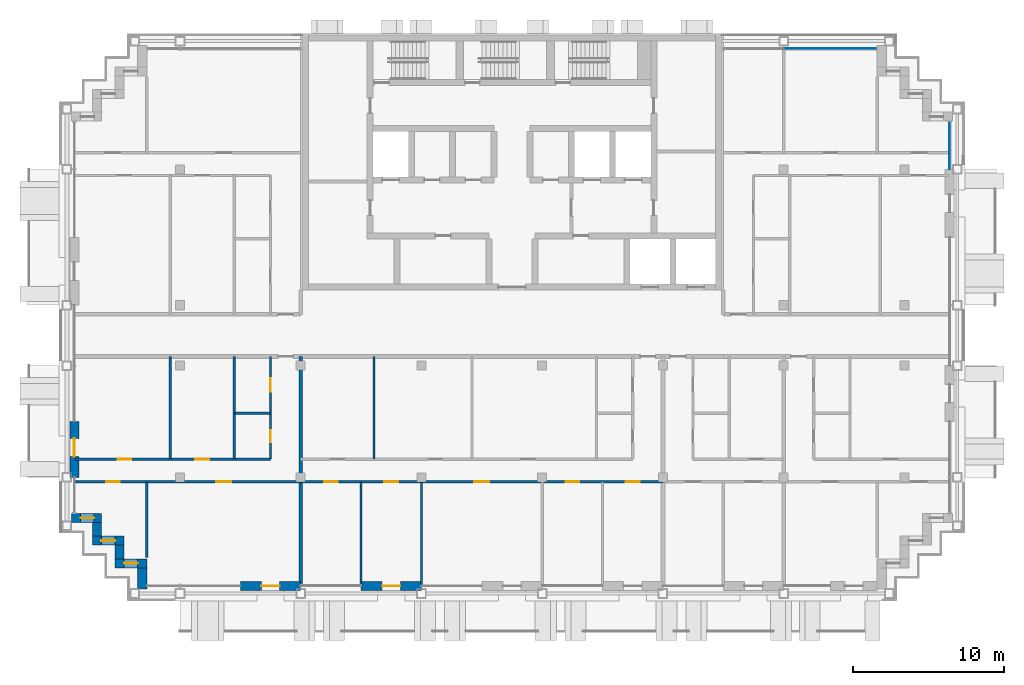
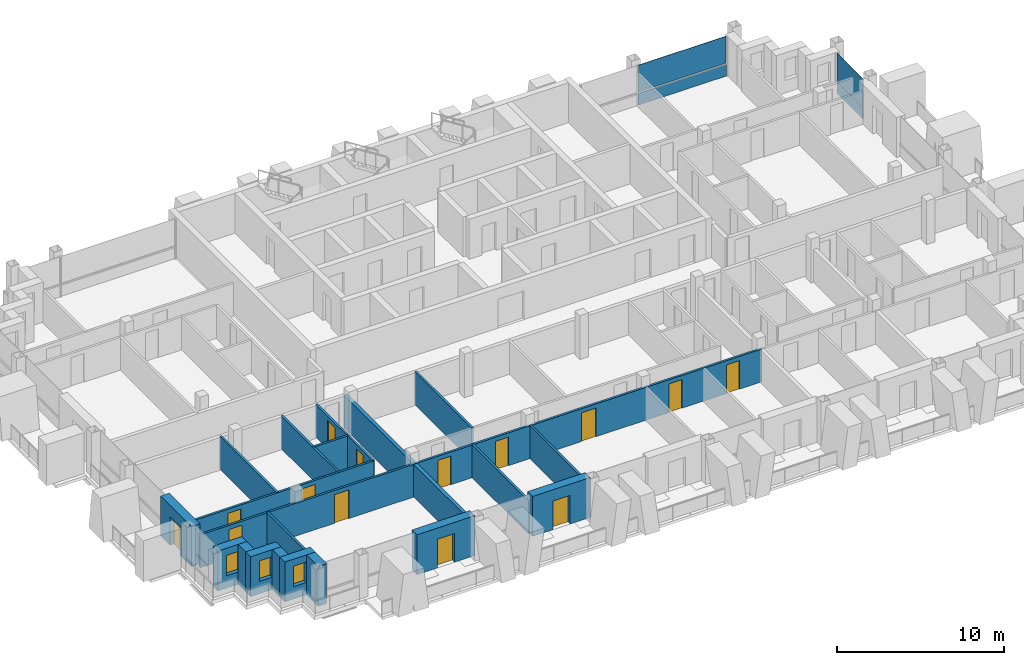
# One storey, part 7 of 15: 21 walls, 14 doors, 4 plates, 3 windows, 17 openings, 2 elements without a shape of their own.
"""IFC4 building model written with IfcOpenShell, lengths in metres."""

from ifc_helpers import new_model, si_unit, direction, frame, frame_2d, origin, origin_2d, place, context, subcontext, project, spatial, rectangle, extrude, material, layer, layer_set, type_object, element, fill, aggregate, save


model = new_model("IFC4")

# Units and contexts
model_context = context("Model", 3, precision=1e-05, world=origin(), true_north=direction((0.0, 1.0)))
body_context = subcontext(model_context, "Body", "Model", "MODEL_VIEW")
ifc_project = project(units=[si_unit("LENGTHUNIT", "METRE"), si_unit("AREAUNIT", "SQUARE_METRE"), si_unit("VOLUMEUNIT", "CUBIC_METRE"), si_unit("PLANEANGLEUNIT", "RADIAN"), si_unit("MASSUNIT", "GRAM", prefix="KILO")], contexts=[model_context])

# Site, building, storey
site_placement = place(None, origin())
site = spatial("IfcSite", under=ifc_project, at=site_placement, CompositionType="ELEMENT")
building_placement = place(site_placement, origin())
building = spatial("IfcBuilding", under=site, at=building_placement, Name="Vidyagriha Tower", CompositionType="ELEMENT")
storey_placement = place(building_placement, frame((0.0, 0.0, 214.0)))
storey = spatial("IfcBuildingStorey", under=building, at=storey_placement, Name="L55", CompositionType="ELEMENT", Elevation=214.0)

# Curtain wall, plate
ifc_material_1 = material(Name="Aluminium and glass curtain wall", Category="aluminium")
curtain_wall_type = type_object("IfcCurtainWallType", Name="Dwelling skin unitised curtain wall", PredefinedType="USERDEFINED", material=ifc_material_1)
curtain_wall_1_placement = place(storey_placement, origin())
curtain_wall_1 = element("IfcCurtainWall", 1, at=curtain_wall_1_placement, inside=storey, type_object=curtain_wall_type, Name="CW1 dwelling skin", ObjectType="UNITISED", PredefinedType="USERDEFINED")
ifc_material_2 = material(Name="Glass dark ceramic-fritted spandrel", Category="glass")
ifc_layer_1 = layer(ifc_material_2, 0.0400390625)
ifc_layer_set_1 = layer_set([ifc_layer_1], Name="Glass dark ceramic-fritted spandrel")
plate_type_1 = type_object("IfcPlateType", Name="Ceramic-fritted spandrel panel", PredefinedType="CURTAIN_PANEL", material=ifc_layer_set_1)
plate_1_placement = place(storey_placement, frame((21.08251953125, 19.0, 0.0), z_axis=(0.0, 0.0, 1.0), x_axis=(-1.0, 0.0, 0.0)))
plate_1 = element("IfcPlate", 2, at=plate_1_placement, type_object=plate_type_1, Name="CW1 panel 1.1", PredefinedType="CURTAIN_PANEL", context=body_context, shape_type="SweptSolid", body=[
    extrude(rectangle(XDim=6.094970703125, YDim=0.0400390625, at=origin_2d()), origin(), (0.0, 0.0, 1.0), 0.85009765625),
])

curtain_wall_2_placement = place(storey_placement, origin())
curtain_wall_2 = element("IfcCurtainWall", 3, at=curtain_wall_2_placement, inside=storey, type_object=curtain_wall_type, Name="CW1 dwelling skin", ObjectType="UNITISED", PredefinedType="USERDEFINED")
plate_2_placement = place(storey_placement, frame((29.0, 12.56494140625, 0.0), z_axis=(0.0, 0.0, 1.0), x_axis=(0.0, 1.0, 0.0)))
plate_2 = element("IfcPlate", 4, at=plate_2_placement, type_object=plate_type_1, Name="CW1 panel 1.1", PredefinedType="CURTAIN_PANEL", context=body_context, shape_type="SweptSolid", body=[
    extrude(rectangle(XDim=3.1298828125, YDim=0.0400390625, at=origin_2d()), origin(), (0.0, 0.0, 1.0), 0.85009765625),
])

# Plate
ifc_material_3 = material(Name="Glass dark ceramic-fritted", Category="glass")
ifc_layer_2 = layer(ifc_material_3, 0.028076171875)
ifc_layer_set_2 = layer_set([ifc_layer_2], Name="Glass dark ceramic-fritted")
plate_type_2 = type_object("IfcPlateType", Name="Dark ceramic-fritted vision glass panel", PredefinedType="CURTAIN_PANEL", material=ifc_layer_set_2)
plate_3_placement = place(storey_placement, frame((21.08251953125, 19.0, 0.9501953125), z_axis=(0.0, 0.0, 1.0), x_axis=(-1.0, 0.0, 0.0)))
plate_3 = element("IfcPlate", 5, at=plate_3_placement, type_object=plate_type_2, Name="CW1 panel 1.2", PredefinedType="CURTAIN_PANEL", context=body_context, shape_type="SweptSolid", body=[
    extrude(rectangle(XDim=6.094970703125, YDim=0.028076171875, at=origin_2d()), origin(), (0.0, 0.0, 1.0), 1.969970703125),
])

aggregate(curtain_wall_1, [plate_1, plate_3])

plate_4_placement = place(storey_placement, frame((29.0, 12.56494140625, 0.9501953125), z_axis=(0.0, 0.0, 1.0), x_axis=(0.0, 1.0, 0.0)))
plate_4 = element("IfcPlate", 6, at=plate_4_placement, type_object=plate_type_2, Name="CW1 panel 1.2", PredefinedType="CURTAIN_PANEL", context=body_context, shape_type="SweptSolid", body=[
    extrude(rectangle(XDim=3.1298828125, YDim=0.028076171875, at=origin_2d()), origin(), (0.0, 0.0, 1.0), 1.969970703125),
])

aggregate(curtain_wall_2, [plate_2, plate_4])

# Wall, opening, door
ifc_material_4 = material(Name="Precast concrete C40/50 with brick facing", Category="concrete")
ifc_layer_3 = layer(ifc_material_4, 0.60009765625)
ifc_layer_set_3 = layer_set([ifc_layer_3], Name="Precast concrete C40/50 with brick facing")
wall_type_1 = type_object("IfcWallType", Name="Brick-faced precast wall 600", PredefinedType="STANDARD", material=ifc_layer_set_3)
wall_1_placement = place(storey_placement, frame((-29.0, -5.699951171875, 0.0), z_axis=(0.0, 0.0, 1.0), x_axis=(0.0, -1.0, 0.0)))
wall_1 = element("IfcWall", 7, at=wall_1_placement, inside=storey, type_object=wall_type_1, Name="Brick door bay wall L55 R16.6", PredefinedType="STANDARD", context=body_context, shape_type="SweptSolid", body=[
    extrude(rectangle(XDim=3.699951171875, YDim=0.60009765625, at=frame_2d((1.85009765625, 0.0))), origin(), (0.0, 0.0, 1.0), 2.919921875),
])
opening_1_placement = place(wall_1_placement, frame((1.125, 0.0, 0.0)))
opening_1 = element("IfcOpeningElement", 8, at=opening_1_placement, cuts=wall_1, Name="Opening D55-61", PredefinedType="OPENING", context=body_context, shape_type="SweptSolid", body=[
    extrude(rectangle(XDim=1.199951171875, YDim=2.10009765625, at=frame_2d((0.60009765625, 1.050048828125))), frame((0.0, 0.31005859375, 0.0), z_axis=(0.0, -1.0, 0.0), x_axis=(1.0, 0.0, 0.0)), (0.0, 0.0, 1.0), 0.6201171875),
])
ifc_material_5 = material(Name="Aluminium framed glazed sliding door", Category="aluminium")
door_type_1 = type_object("IfcDoorType", Name="Balcony sliding door 1200x2100", OperationType="NOTDEFINED", PredefinedType="DOOR", material=ifc_material_5)
door_1_placement = place(opening_1_placement, origin())
door_1 = element("IfcDoor", 9, at=door_1_placement, inside=storey, type_object=door_type_1, Name="Door D55-61", OperationType="SLIDING_TO_LEFT", OverallHeight=2.10009765625, OverallWidth=1.199951171875, PredefinedType="DOOR", context=body_context, shape_type="SweptSolid", body=[
    extrude(rectangle(XDim=1.199951171875, YDim=2.10009765625, at=frame_2d((0.60009765625, 1.050048828125))), frame((0.0, 0.02490234375, 0.0), z_axis=(0.0, -1.0, 0.0), x_axis=(1.0, 0.0, 0.0)), (0.0, 0.0, 1.0), 0.050048828125),
])
fill(opening_1, door_1)

# Wall, opening, window
wall_2_placement = place(storey_placement, frame((-29.199951171875, -12.10009765625, 0.0)))
wall_2 = element("IfcWall", 10, at=wall_2_placement, inside=storey, type_object=wall_type_1, Name="Stepped corner wall L55 R17", PredefinedType="STANDARD", context=body_context, shape_type="SweptSolid", body=[
    extrude(rectangle(XDim=2.0, YDim=0.60009765625, at=frame_2d((1.0, 0.0))), origin(), (0.0, 0.0, 1.0), 2.919921875),
])
opening_2_placement = place(wall_2_placement, frame((0.610107421875, 0.0, 0.89990234375)))
opening_2 = element("IfcOpeningElement", 11, at=opening_2_placement, cuts=wall_2, Name="Opening WN1", PredefinedType="OPENING", context=body_context, shape_type="SweptSolid", body=[
    extrude(rectangle(XDim=0.89990234375, YDim=1.5, at=frame_2d((0.449951171875, 0.75))), frame((0.0, 0.31005859375, 0.0), z_axis=(0.0, -1.0, 0.0), x_axis=(1.0, 0.0, 0.0)), (0.0, 0.0, 1.0), 0.6201171875),
])
ifc_material_6 = material(Name="Aluminium and glass window", Category="aluminium")
window_type = type_object("IfcWindowType", Name="Reveal window 900x1500", PartitioningType="NOTDEFINED", PredefinedType="WINDOW", material=ifc_material_6)
window_1_placement = place(opening_2_placement, origin())
window_1 = element("IfcWindow", 12, at=window_1_placement, inside=storey, type_object=window_type, Name="Reveal window L55 R17", OverallHeight=1.5, OverallWidth=0.89990234375, PartitioningType="SINGLE_PANEL", PredefinedType="WINDOW", context=body_context, shape_type="SweptSolid", body=[
    extrude(rectangle(XDim=0.89990234375, YDim=1.5, at=frame_2d((0.449951171875, 0.75))), frame((0.0, 0.030029296875, 0.0), z_axis=(0.0, -1.0, 0.0), x_axis=(1.0, 0.0, 0.0)), (0.0, 0.0, 1.0), 0.06005859375),
])
fill(opening_2, window_1)

# Wall
wall_3_placement = place(storey_placement, frame((-27.5, -12.39990234375, 0.0), z_axis=(0.0, 0.0, 1.0), x_axis=(0.0, -1.0, 0.0)))
element("IfcWall", 13, at=wall_3_placement, inside=storey, type_object=wall_type_1, Name="Stepped corner wall L55 R18", PredefinedType="STANDARD", context=body_context, shape_type="SweptSolid", body=[
    extrude(rectangle(XDim=0.900146484375, YDim=0.60009765625, at=frame_2d((0.4501953125, 0.0))), origin(), (0.0, 0.0, 1.0), 2.919921875),
])

# Wall, opening, window
wall_4_placement = place(storey_placement, frame((-27.800048828125, -13.60009765625, 0.0)))
wall_4 = element("IfcWall", 14, at=wall_4_placement, inside=storey, type_object=wall_type_1, Name="Stepped corner wall L55 R19", PredefinedType="STANDARD", context=body_context, shape_type="SweptSolid", body=[
    extrude(rectangle(XDim=2.10009765625, YDim=0.60009765625, at=frame_2d((1.050048828125, 0.0))), origin(), (0.0, 0.0, 1.0), 2.919921875),
])
opening_3_placement = place(wall_4_placement, frame((0.60009765625, 0.0, 0.89990234375)))
opening_3 = element("IfcOpeningElement", 15, at=opening_3_placement, cuts=wall_4, Name="Opening WN1", PredefinedType="OPENING", context=body_context, shape_type="SweptSolid", body=[
    extrude(rectangle(XDim=0.89990234375, YDim=1.5, at=frame_2d((0.449951171875, 0.75))), frame((0.0, 0.31005859375, 0.0), z_axis=(0.0, -1.0, 0.0), x_axis=(1.0, 0.0, 0.0)), (0.0, 0.0, 1.0), 0.6201171875),
])
window_2_placement = place(opening_3_placement, origin())
window_2 = element("IfcWindow", 16, at=window_2_placement, inside=storey, type_object=window_type, Name="Reveal window L55 R19", OverallHeight=1.5, OverallWidth=0.89990234375, PartitioningType="SINGLE_PANEL", PredefinedType="WINDOW", context=body_context, shape_type="SweptSolid", body=[
    extrude(rectangle(XDim=0.89990234375, YDim=1.5, at=frame_2d((0.449951171875, 0.75))), frame((0.0, 0.030029296875, 0.0), z_axis=(0.0, -1.0, 0.0), x_axis=(1.0, 0.0, 0.0)), (0.0, 0.0, 1.0), 0.06005859375),
])
fill(opening_3, window_2)

# Wall
wall_5_placement = place(storey_placement, frame((-26.0, -13.89990234375, 0.0), z_axis=(0.0, 0.0, 1.0), x_axis=(0.0, -1.0, 0.0)))
element("IfcWall", 17, at=wall_5_placement, inside=storey, type_object=wall_type_1, Name="Stepped corner wall L55 R20", PredefinedType="STANDARD", context=body_context, shape_type="SweptSolid", body=[
    extrude(rectangle(XDim=0.900146484375, YDim=0.60009765625, at=frame_2d((0.4501953125, 0.0))), origin(), (0.0, 0.0, 1.0), 2.919921875),
])

# Wall, opening, window
wall_6_placement = place(storey_placement, frame((-26.300048828125, -15.10009765625, 0.0)))
wall_6 = element("IfcWall", 18, at=wall_6_placement, inside=storey, type_object=wall_type_1, Name="Stepped corner wall L55 R21", PredefinedType="STANDARD", context=body_context, shape_type="SweptSolid", body=[
    extrude(rectangle(XDim=2.10009765625, YDim=0.60009765625, at=frame_2d((1.050048828125, 0.0))), origin(), (0.0, 0.0, 1.0), 2.919921875),
])
opening_4_placement = place(wall_6_placement, frame((0.60009765625, 0.0, 0.89990234375)))
opening_4 = element("IfcOpeningElement", 19, at=opening_4_placement, cuts=wall_6, Name="Opening WN1", PredefinedType="OPENING", context=body_context, shape_type="SweptSolid", body=[
    extrude(rectangle(XDim=0.89990234375, YDim=1.5, at=frame_2d((0.449951171875, 0.75))), frame((0.0, 0.31005859375, 0.0), z_axis=(0.0, -1.0, 0.0), x_axis=(1.0, 0.0, 0.0)), (0.0, 0.0, 1.0), 0.6201171875),
])
window_3_placement = place(opening_4_placement, origin())
window_3 = element("IfcWindow", 20, at=window_3_placement, inside=storey, type_object=window_type, Name="Reveal window L55 R21", OverallHeight=1.5, OverallWidth=0.89990234375, PartitioningType="SINGLE_PANEL", PredefinedType="WINDOW", context=body_context, shape_type="SweptSolid", body=[
    extrude(rectangle(XDim=0.89990234375, YDim=1.5, at=frame_2d((0.449951171875, 0.75))), frame((0.0, 0.030029296875, 0.0), z_axis=(0.0, -1.0, 0.0), x_axis=(1.0, 0.0, 0.0)), (0.0, 0.0, 1.0), 0.06005859375),
])
fill(opening_4, window_3)

# Wall
wall_7_placement = place(storey_placement, frame((-24.5, -15.39990234375, 0.0), z_axis=(0.0, 0.0, 1.0), x_axis=(0.0, -1.0, 0.0)))
element("IfcWall", 21, at=wall_7_placement, inside=storey, type_object=wall_type_1, Name="Stepped corner wall L55 R22", PredefinedType="STANDARD", context=body_context, shape_type="SweptSolid", body=[
    extrude(rectangle(XDim=1.400146484375, YDim=0.60009765625, at=frame_2d((0.7001953125, 0.0))), origin(), (0.0, 0.0, 1.0), 2.919921875),
])

# Wall, opening, door
wall_8_placement = place(storey_placement, frame((-18.0, -16.60009765625, 0.0)))
wall_8 = element("IfcWall", 22, at=wall_8_placement, inside=storey, type_object=wall_type_1, Name="Brick door bay wall L55 R23.3", PredefinedType="STANDARD", context=body_context, shape_type="SweptSolid", body=[
    extrude(rectangle(XDim=4.0, YDim=0.60009765625, at=frame_2d((2.0, 0.0))), origin(), (0.0, 0.0, 1.0), 2.919921875),
])
opening_5_placement = place(wall_8_placement, frame((1.39990234375, 0.0, 0.0)))
opening_5 = element("IfcOpeningElement", 23, at=opening_5_placement, cuts=wall_8, Name="Opening D55-62", PredefinedType="OPENING", context=body_context, shape_type="SweptSolid", body=[
    extrude(rectangle(XDim=1.199951171875, YDim=2.10009765625, at=frame_2d((0.60009765625, 1.050048828125))), frame((0.0, 0.31005859375, 0.0), z_axis=(0.0, -1.0, 0.0), x_axis=(1.0, 0.0, 0.0)), (0.0, 0.0, 1.0), 0.6201171875),
])
door_2_placement = place(opening_5_placement, origin())
door_2 = element("IfcDoor", 24, at=door_2_placement, inside=storey, type_object=door_type_1, Name="Door D55-62", OperationType="SLIDING_TO_LEFT", OverallHeight=2.10009765625, OverallWidth=1.199951171875, PredefinedType="DOOR", context=body_context, shape_type="SweptSolid", body=[
    extrude(rectangle(XDim=1.199951171875, YDim=2.10009765625, at=frame_2d((0.60009765625, 1.050048828125))), frame((0.0, 0.02490234375, 0.0), z_axis=(0.0, -1.0, 0.0), x_axis=(1.0, 0.0, 0.0)), (0.0, 0.0, 1.0), 0.050048828125),
])
fill(opening_5, door_2)

wall_9_placement = place(storey_placement, frame((-10.0, -16.60009765625, 0.0)))
wall_9 = element("IfcWall", 25, at=wall_9_placement, inside=storey, type_object=wall_type_1, Name="Brick door bay wall L55 R23.5", PredefinedType="STANDARD", context=body_context, shape_type="SweptSolid", body=[
    extrude(rectangle(XDim=4.0, YDim=0.60009765625, at=frame_2d((2.0, 0.0))), origin(), (0.0, 0.0, 1.0), 2.919921875),
])
opening_6_placement = place(wall_9_placement, frame((1.39990234375, 0.0, 0.0)))
opening_6 = element("IfcOpeningElement", 26, at=opening_6_placement, cuts=wall_9, Name="Opening D55-63", PredefinedType="OPENING", context=body_context, shape_type="SweptSolid", body=[
    extrude(rectangle(XDim=1.199951171875, YDim=2.10009765625, at=frame_2d((0.60009765625, 1.050048828125))), frame((0.0, 0.31005859375, 0.0), z_axis=(0.0, -1.0, 0.0), x_axis=(1.0, 0.0, 0.0)), (0.0, 0.0, 1.0), 0.6201171875),
])
door_3_placement = place(opening_6_placement, origin())
door_3 = element("IfcDoor", 27, at=door_3_placement, inside=storey, type_object=door_type_1, Name="Door D55-63", OperationType="SLIDING_TO_LEFT", OverallHeight=2.10009765625, OverallWidth=1.199951171875, PredefinedType="DOOR", context=body_context, shape_type="SweptSolid", body=[
    extrude(rectangle(XDim=1.199951171875, YDim=2.10009765625, at=frame_2d((0.60009765625, 1.050048828125))), frame((0.0, 0.02490234375, 0.0), z_axis=(0.0, -1.0, 0.0), x_axis=(1.0, 0.0, 0.0)), (0.0, 0.0, 1.0), 0.050048828125),
])
fill(opening_6, door_3)

# Walls
ifc_material_7 = material(Name="Fired clay brick masonry", Category="masonry")
ifc_layer_4 = layer(ifc_material_7, 0.25)
ifc_layer_set_4 = layer_set([ifc_layer_4], Name="Fired clay brick masonry")
wall_type_2 = type_object("IfcWallType", Name="Fired clay brick demising wall 250", PredefinedType="PARTITIONING", material=ifc_layer_set_4)
wall_10_placement = place(storey_placement, frame((-14.0, -1.39990234375, 0.0), z_axis=(0.0, 0.0, 1.0), x_axis=(0.0, -1.0, 0.0)))
element("IfcWall", 28, at=wall_10_placement, inside=storey, type_object=wall_type_2, Name="Wall all-L55-w037", PredefinedType="PARTITIONING", context=body_context, shape_type="SweptSolid", body=[
    extrude(rectangle(XDim=15.110107421875, YDim=0.25, at=frame_2d((7.55517578125, 0.0))), origin(), (0.0, 0.0, 1.0), 2.39990234375),
])
ifc_material_8 = material(Name="Gypsum board partition")
ifc_layer_5 = layer(ifc_material_8, 0.14990234375)
ifc_layer_set_5 = layer_set([ifc_layer_5], Name="Gypsum board partition")
wall_type_3 = type_object("IfcWallType", Name="Gypsum board partition 150", PredefinedType="PARTITIONING", material=ifc_layer_set_5)
wall_11_placement = place(storey_placement, frame((-16.0, -5.14990234375, 0.0), z_axis=(0.0, 0.0, 1.0), x_axis=(-1.0, 0.0, 0.0)))
element("IfcWall", 29, at=wall_11_placement, inside=storey, type_object=wall_type_3, Name="Wall all-L55-w004", PredefinedType="PARTITIONING", context=body_context, shape_type="SweptSolid", body=[
    extrude(rectangle(XDim=2.39990234375, YDim=0.14990234375, at=frame_2d((1.199951171875, 0.0))), origin(), (0.0, 0.0, 1.0), 2.39990234375),
])
for number, where, z_axis, x_axis, name in (
    (30, (-18.39990234375, -8.199951171875, 0.0), (0.0, 0.0, 1.0), (0.0, 1.0, 0.0), "Wall all-L55-w005"),
    (31, (-22.64990234375, -8.199951171875, 0.0), (0.0, 0.0, 1.0), (0.0, 1.0, 0.0), "Wall all-L55-w006"),
):
    element("IfcWall", number, at=place(storey_placement, frame(where, z_axis=z_axis, x_axis=x_axis)), inside=storey, type_object=wall_type_3, Name=name, PredefinedType="PARTITIONING", context=body_context, shape_type="SweptSolid", body=[
        extrude(rectangle(XDim=6.800048828125, YDim=0.14990234375, at=frame_2d((3.39990234375, 0.0))), origin(), (0.0, 0.0, 1.0), 2.39990234375),
    ])

# Wall, openings, doors
wall_12_placement = place(storey_placement, frame((-28.909912109375, -8.199951171875, 0.0)))
wall_12 = element("IfcWall", 32, at=wall_12_placement, inside=storey, type_object=wall_type_3, Name="Wall all-L55-w007", PredefinedType="PARTITIONING", context=body_context, shape_type="SweptSolid", body=[
    extrude(rectangle(XDim=12.909912109375, YDim=0.14990234375, at=frame_2d((6.455078125, 0.0))), origin(), (0.0, 0.0, 1.0), 2.39990234375),
])
opening_7_placement = place(wall_12_placement, frame((7.93505859375, 0.0, 0.0)))
opening_7 = element("IfcOpeningElement", 33, at=opening_7_placement, cuts=wall_12, Name="Opening D55-17", PredefinedType="OPENING", context=body_context, shape_type="SweptSolid", body=[
    extrude(rectangle(XDim=0.89990234375, YDim=2.10009765625, at=frame_2d((0.449951171875, 1.050048828125))), frame((0.0, 0.0849609375, 0.0), z_axis=(0.0, -1.0, 0.0), x_axis=(1.0, 0.0, 0.0)), (0.0, 0.0, 1.0), 0.169921875),
])
opening_8_placement = place(wall_12_placement, frame((2.784912109375, 0.0, 0.0)))
opening_8 = element("IfcOpeningElement", 34, at=opening_8_placement, cuts=wall_12, Name="Opening D55-18", PredefinedType="OPENING", context=body_context, shape_type="SweptSolid", body=[
    extrude(rectangle(XDim=0.89990234375, YDim=2.10009765625, at=frame_2d((0.449951171875, 1.050048828125))), frame((0.0, 0.0849609375, 0.0), z_axis=(0.0, -1.0, 0.0), x_axis=(1.0, 0.0, 0.0)), (0.0, 0.0, 1.0), 0.169921875),
])
ifc_material_9 = material(Name="Timber door leaf", Category="wood")
door_type_2 = type_object("IfcDoorType", Name="Room door 900x2100", OperationType="NOTDEFINED", PredefinedType="DOOR", material=ifc_material_9)
door_4_placement = place(opening_7_placement, origin())
door_4 = element("IfcDoor", 35, at=door_4_placement, inside=storey, type_object=door_type_2, Name="Door D55-17", OperationType="SINGLE_SWING_RIGHT", OverallHeight=2.10009765625, OverallWidth=0.89990234375, PredefinedType="DOOR", context=body_context, shape_type="SweptSolid", body=[
    extrude(rectangle(XDim=0.89990234375, YDim=2.10009765625, at=frame_2d((0.449951171875, 1.050048828125))), frame((0.0, 0.02490234375, 0.0), z_axis=(0.0, -1.0, 0.0), x_axis=(1.0, 0.0, 0.0)), (0.0, 0.0, 1.0), 0.050048828125),
])
fill(opening_7, door_4)
door_5_placement = place(opening_8_placement, origin())
door_5 = element("IfcDoor", 36, at=door_5_placement, inside=storey, type_object=door_type_2, Name="Door D55-18", OperationType="SINGLE_SWING_LEFT", OverallHeight=2.10009765625, OverallWidth=0.89990234375, PredefinedType="DOOR", context=body_context, shape_type="SweptSolid", body=[
    extrude(rectangle(XDim=0.89990234375, YDim=2.10009765625, at=frame_2d((0.449951171875, 1.050048828125))), frame((0.0, 0.02490234375, 0.0), z_axis=(0.0, -1.0, 0.0), x_axis=(1.0, 0.0, 0.0)), (0.0, 0.0, 1.0), 0.050048828125),
])
fill(opening_8, door_5)

wall_13_placement = place(storey_placement, frame((-14.0, -9.699951171875, 0.0), z_axis=(0.0, 0.0, 1.0), x_axis=(-1.0, 0.0, 0.0)))
wall_13 = element("IfcWall", 37, at=wall_13_placement, inside=storey, type_object=wall_type_3, Name="Wall all-L55-w010", PredefinedType="PARTITIONING", context=body_context, shape_type="SweptSolid", body=[
    extrude(rectangle(XDim=14.919921875, YDim=0.14990234375, at=frame_2d((7.4599609375, 0.0))), origin(), (0.0, 0.0, 1.0), 2.39990234375),
])
opening_9_placement = place(wall_13_placement, frame((12.0, 0.0, 0.0)))
opening_9 = element("IfcOpeningElement", 38, at=opening_9_placement, cuts=wall_13, Name="Opening D55-19", PredefinedType="OPENING", context=body_context, shape_type="SweptSolid", body=[
    extrude(rectangle(XDim=0.89990234375, YDim=2.10009765625, at=frame_2d((0.449951171875, 1.050048828125))), frame((0.0, 0.0849609375, 0.0), z_axis=(0.0, -1.0, 0.0), x_axis=(1.0, 0.0, 0.0)), (0.0, 0.0, 1.0), 0.169921875),
])
opening_10_placement = place(wall_13_placement, frame((4.60009765625, 0.0, 0.0)))
opening_10 = element("IfcOpeningElement", 39, at=opening_10_placement, cuts=wall_13, Name="Opening D55-20", PredefinedType="OPENING", context=body_context, shape_type="SweptSolid", body=[
    extrude(rectangle(XDim=1.0, YDim=2.10009765625, at=frame_2d((0.5, 1.050048828125))), frame((0.0, 0.0849609375, 0.0), z_axis=(0.0, -1.0, 0.0), x_axis=(1.0, 0.0, 0.0)), (0.0, 0.0, 1.0), 0.169921875),
])
ifc_material_10 = material(Name="Timber door leaf", Category="wood")
door_type_3 = type_object("IfcDoorType", Name="Room door 1000x2100", OperationType="NOTDEFINED", PredefinedType="DOOR", material=ifc_material_10)
door_6_placement = place(opening_10_placement, origin())
door_6 = element("IfcDoor", 40, at=door_6_placement, inside=storey, type_object=door_type_3, Name="Door D55-20", OperationType="SINGLE_SWING_RIGHT", OverallHeight=2.10009765625, OverallWidth=1.0, PredefinedType="DOOR", context=body_context, shape_type="SweptSolid", body=[
    extrude(rectangle(XDim=1.0, YDim=2.10009765625, at=frame_2d((0.5, 1.050048828125))), frame((0.0, 0.02490234375, 0.0), z_axis=(0.0, -1.0, 0.0), x_axis=(1.0, 0.0, 0.0)), (0.0, 0.0, 1.0), 0.050048828125),
])
fill(opening_10, door_6)
door_7_placement = place(opening_9_placement, origin())
door_7 = element("IfcDoor", 41, at=door_7_placement, inside=storey, type_object=door_type_2, Name="Door D55-19", OperationType="SINGLE_SWING_RIGHT", OverallHeight=2.10009765625, OverallWidth=0.89990234375, PredefinedType="DOOR", context=body_context, shape_type="SweptSolid", body=[
    extrude(rectangle(XDim=0.89990234375, YDim=2.10009765625, at=frame_2d((0.449951171875, 1.050048828125))), frame((0.0, 0.02490234375, 0.0), z_axis=(0.0, -1.0, 0.0), x_axis=(1.0, 0.0, 0.0)), (0.0, 0.0, 1.0), 0.050048828125),
])
fill(opening_9, door_7)

# Walls
wall_14_placement = place(storey_placement, frame((-24.199951171875, -9.699951171875, 0.0), z_axis=(0.0, 0.0, 1.0), x_axis=(0.0, -1.0, 0.0)))
element("IfcWall", 42, at=wall_14_placement, inside=storey, type_object=wall_type_3, Name="Wall all-L55-w013", PredefinedType="PARTITIONING", context=body_context, shape_type="SweptSolid", body=[
    extrude(rectangle(XDim=5.02001953125, YDim=0.14990234375, at=frame_2d((2.510009765625, 0.0))), origin(), (0.0, 0.0, 1.0), 2.39990234375),
])
wall_15_placement = place(storey_placement, frame((-9.14990234375, -8.199951171875, 0.0), z_axis=(0.0, 0.0, 1.0), x_axis=(0.0, 1.0, 0.0)))
element("IfcWall", 43, at=wall_15_placement, inside=storey, type_object=wall_type_3, Name="Wall all-L55-w021", PredefinedType="PARTITIONING", context=body_context, shape_type="SweptSolid", body=[
    extrude(rectangle(XDim=6.800048828125, YDim=0.14990234375, at=frame_2d((3.39990234375, 0.0))), origin(), (0.0, 0.0, 1.0), 2.39990234375),
])

# Wall, openings, doors
wall_16_placement = place(storey_placement, frame((10.0, -9.699951171875, 0.0), z_axis=(0.0, 0.0, 1.0), x_axis=(-1.0, 0.0, 0.0)))
wall_16 = element("IfcWall", 44, at=wall_16_placement, inside=storey, type_object=wall_type_3, Name="Wall all-L55-w026", PredefinedType="PARTITIONING", context=body_context, shape_type="SweptSolid", body=[
    extrude(rectangle(XDim=24.0, YDim=0.14990234375, at=frame_2d((12.0, 0.0))), origin(), (0.0, 0.0, 1.0), 2.39990234375),
])
opening_11_placement = place(wall_16_placement, frame((21.550048828125, 0.0, 0.0)))
opening_11 = element("IfcOpeningElement", 45, at=opening_11_placement, cuts=wall_16, Name="Opening D55-27", PredefinedType="OPENING", context=body_context, shape_type="SweptSolid", body=[
    extrude(rectangle(XDim=0.89990234375, YDim=2.10009765625, at=frame_2d((0.449951171875, 1.050048828125))), frame((0.0, 0.0849609375, 0.0), z_axis=(0.0, -1.0, 0.0), x_axis=(1.0, 0.0, 0.0)), (0.0, 0.0, 1.0), 0.169921875),
])
opening_12_placement = place(wall_16_placement, frame((17.550048828125, 0.0, 0.0)))
opening_12 = element("IfcOpeningElement", 46, at=opening_12_placement, cuts=wall_16, Name="Opening D55-28", PredefinedType="OPENING", context=body_context, shape_type="SweptSolid", body=[
    extrude(rectangle(XDim=0.89990234375, YDim=2.10009765625, at=frame_2d((0.449951171875, 1.050048828125))), frame((0.0, 0.0849609375, 0.0), z_axis=(0.0, -1.0, 0.0), x_axis=(1.0, 0.0, 0.0)), (0.0, 0.0, 1.0), 0.169921875),
])
opening_13_placement = place(wall_16_placement, frame((11.5, 0.0, 0.0)))
opening_13 = element("IfcOpeningElement", 47, at=opening_13_placement, cuts=wall_16, Name="Opening D55-29", PredefinedType="OPENING", context=body_context, shape_type="SweptSolid", body=[
    extrude(rectangle(XDim=1.0, YDim=2.10009765625, at=frame_2d((0.5, 1.050048828125))), frame((0.0, 0.0849609375, 0.0), z_axis=(0.0, -1.0, 0.0), x_axis=(1.0, 0.0, 0.0)), (0.0, 0.0, 1.0), 0.169921875),
])
opening_14_placement = place(wall_16_placement, frame((5.550048828125, 0.0, 0.0)))
opening_14 = element("IfcOpeningElement", 48, at=opening_14_placement, cuts=wall_16, Name="Opening D55-30", PredefinedType="OPENING", context=body_context, shape_type="SweptSolid", body=[
    extrude(rectangle(XDim=0.89990234375, YDim=2.10009765625, at=frame_2d((0.449951171875, 1.050048828125))), frame((0.0, 0.0849609375, 0.0), z_axis=(0.0, -1.0, 0.0), x_axis=(1.0, 0.0, 0.0)), (0.0, 0.0, 1.0), 0.169921875),
])
opening_15_placement = place(wall_16_placement, frame((1.550048828125, 0.0, 0.0)))
opening_15 = element("IfcOpeningElement", 49, at=opening_15_placement, cuts=wall_16, Name="Opening D55-31", PredefinedType="OPENING", context=body_context, shape_type="SweptSolid", body=[
    extrude(rectangle(XDim=0.89990234375, YDim=2.10009765625, at=frame_2d((0.449951171875, 1.050048828125))), frame((0.0, 0.0849609375, 0.0), z_axis=(0.0, -1.0, 0.0), x_axis=(1.0, 0.0, 0.0)), (0.0, 0.0, 1.0), 0.169921875),
])
door_8_placement = place(opening_13_placement, origin())
door_8 = element("IfcDoor", 50, at=door_8_placement, inside=storey, type_object=door_type_3, Name="Door D55-29", OperationType="SINGLE_SWING_RIGHT", OverallHeight=2.10009765625, OverallWidth=1.0, PredefinedType="DOOR", context=body_context, shape_type="SweptSolid", body=[
    extrude(rectangle(XDim=1.0, YDim=2.10009765625, at=frame_2d((0.5, 1.050048828125))), frame((0.0, 0.02490234375, 0.0), z_axis=(0.0, -1.0, 0.0), x_axis=(1.0, 0.0, 0.0)), (0.0, 0.0, 1.0), 0.050048828125),
])
fill(opening_13, door_8)
door_9_placement = place(opening_11_placement, origin())
door_9 = element("IfcDoor", 51, at=door_9_placement, inside=storey, type_object=door_type_2, Name="Door D55-27", OperationType="SINGLE_SWING_RIGHT", OverallHeight=2.10009765625, OverallWidth=0.89990234375, PredefinedType="DOOR", context=body_context, shape_type="SweptSolid", body=[
    extrude(rectangle(XDim=0.89990234375, YDim=2.10009765625, at=frame_2d((0.449951171875, 1.050048828125))), frame((0.0, 0.02490234375, 0.0), z_axis=(0.0, -1.0, 0.0), x_axis=(1.0, 0.0, 0.0)), (0.0, 0.0, 1.0), 0.050048828125),
])
fill(opening_11, door_9)
door_10_placement = place(opening_12_placement, origin())
door_10 = element("IfcDoor", 52, at=door_10_placement, inside=storey, type_object=door_type_2, Name="Door D55-28", OperationType="SINGLE_SWING_RIGHT", OverallHeight=2.10009765625, OverallWidth=0.89990234375, PredefinedType="DOOR", context=body_context, shape_type="SweptSolid", body=[
    extrude(rectangle(XDim=0.89990234375, YDim=2.10009765625, at=frame_2d((0.449951171875, 1.050048828125))), frame((0.0, 0.02490234375, 0.0), z_axis=(0.0, -1.0, 0.0), x_axis=(1.0, 0.0, 0.0)), (0.0, 0.0, 1.0), 0.050048828125),
])
fill(opening_12, door_10)
door_11_placement = place(opening_14_placement, origin())
door_11 = element("IfcDoor", 53, at=door_11_placement, inside=storey, type_object=door_type_2, Name="Door D55-30", OperationType="SINGLE_SWING_RIGHT", OverallHeight=2.10009765625, OverallWidth=0.89990234375, PredefinedType="DOOR", context=body_context, shape_type="SweptSolid", body=[
    extrude(rectangle(XDim=0.89990234375, YDim=2.10009765625, at=frame_2d((0.449951171875, 1.050048828125))), frame((0.0, 0.02490234375, 0.0), z_axis=(0.0, -1.0, 0.0), x_axis=(1.0, 0.0, 0.0)), (0.0, 0.0, 1.0), 0.050048828125),
])
fill(opening_14, door_11)
door_12_placement = place(opening_15_placement, origin())
door_12 = element("IfcDoor", 54, at=door_12_placement, inside=storey, type_object=door_type_2, Name="Door D55-31", OperationType="SINGLE_SWING_RIGHT", OverallHeight=2.10009765625, OverallWidth=0.89990234375, PredefinedType="DOOR", context=body_context, shape_type="SweptSolid", body=[
    extrude(rectangle(XDim=0.89990234375, YDim=2.10009765625, at=frame_2d((0.449951171875, 1.050048828125))), frame((0.0, 0.02490234375, 0.0), z_axis=(0.0, -1.0, 0.0), x_axis=(1.0, 0.0, 0.0)), (0.0, 0.0, 1.0), 0.050048828125),
])
fill(opening_15, door_12)

# Walls
wall_17_placement = place(storey_placement, frame((-10.0, -9.699951171875, 0.0), z_axis=(0.0, 0.0, 1.0), x_axis=(0.0, -1.0, 0.0)))
element("IfcWall", 55, at=wall_17_placement, inside=storey, type_object=wall_type_3, Name="Wall all-L55-w032", PredefinedType="PARTITIONING", context=body_context, shape_type="SweptSolid", body=[
    extrude(rectangle(XDim=6.821044921875, YDim=0.14990234375, at=frame_2d((3.41064453125, 0.0))), origin(), (0.0, 0.0, 1.0), 2.39990234375),
])
wall_18_placement = place(storey_placement, frame((-6.0, -9.699951171875, 0.0), z_axis=(0.0, 0.0, 1.0), x_axis=(0.0, -1.0, 0.0)))
element("IfcWall", 56, at=wall_18_placement, inside=storey, type_object=wall_type_3, Name="Wall all-L55-w033", PredefinedType="PARTITIONING", context=body_context, shape_type="SweptSolid", body=[
    extrude(rectangle(XDim=6.81005859375, YDim=0.14990234375, at=frame_2d((3.405029296875, 0.0))), origin(), (0.0, 0.0, 1.0), 2.39990234375),
])

# Wall, openings, doors
ifc_material_11 = material(Name="Moisture resistant gypsum board partition")
ifc_layer_6 = layer(ifc_material_11, 0.14990234375)
ifc_layer_set_6 = layer_set([ifc_layer_6], Name="Moisture resistant gypsum board partition")
wall_type_4 = type_object("IfcWallType", Name="Gypsum board wet-area partition 150", PredefinedType="PARTITIONING", material=ifc_layer_set_6)
wall_19_placement = place(storey_placement, frame((-16.0, -8.199951171875, 0.0), z_axis=(0.0, 0.0, 1.0), x_axis=(0.0, 1.0, 0.0)))
wall_19 = element("IfcWall", 57, at=wall_19_placement, inside=storey, type_object=wall_type_4, Name="Wall all-L55-w001", PredefinedType="PARTITIONING", context=body_context, shape_type="SweptSolid", body=[
    extrude(rectangle(XDim=6.800048828125, YDim=0.14990234375, at=frame_2d((3.39990234375, 0.0))), origin(), (0.0, 0.0, 1.0), 2.39990234375),
])
opening_16_placement = place(wall_19_placement, frame((4.47509765625, 0.0, 0.0)))
opening_16 = element("IfcOpeningElement", 58, at=opening_16_placement, cuts=wall_19, Name="Opening D55-15", PredefinedType="OPENING", context=body_context, shape_type="SweptSolid", body=[
    extrude(rectangle(XDim=0.89990234375, YDim=2.10009765625, at=frame_2d((0.449951171875, 1.050048828125))), frame((0.0, 0.0849609375, 0.0), z_axis=(0.0, -1.0, 0.0), x_axis=(1.0, 0.0, 0.0)), (0.0, 0.0, 1.0), 0.169921875),
])
opening_17_placement = place(wall_19_placement, frame((1.125, 0.0, 0.0)))
opening_17 = element("IfcOpeningElement", 59, at=opening_17_placement, cuts=wall_19, Name="Opening D55-16", PredefinedType="OPENING", context=body_context, shape_type="SweptSolid", body=[
    extrude(rectangle(XDim=0.800048828125, YDim=2.10009765625, at=frame_2d((0.39990234375, 1.050048828125))), frame((0.0, 0.0849609375, 0.0), z_axis=(0.0, -1.0, 0.0), x_axis=(1.0, 0.0, 0.0)), (0.0, 0.0, 1.0), 0.169921875),
])
ifc_material_12 = material(Name="Timber door leaf", Category="wood")
door_type_4 = type_object("IfcDoorType", Name="Bathroom door 800x2100", OperationType="NOTDEFINED", PredefinedType="DOOR", material=ifc_material_12)
door_13_placement = place(opening_17_placement, origin())
door_13 = element("IfcDoor", 60, at=door_13_placement, inside=storey, type_object=door_type_4, Name="Door D55-16", OperationType="SINGLE_SWING_RIGHT", OverallHeight=2.10009765625, OverallWidth=0.800048828125, PredefinedType="DOOR", context=body_context, shape_type="SweptSolid", body=[
    extrude(rectangle(XDim=0.800048828125, YDim=2.10009765625, at=frame_2d((0.39990234375, 1.050048828125))), frame((0.0, 0.02490234375, 0.0), z_axis=(0.0, -1.0, 0.0), x_axis=(1.0, 0.0, 0.0)), (0.0, 0.0, 1.0), 0.050048828125),
])
fill(opening_17, door_13)
ifc_material_13 = material(Name="Timber door leaf", Category="wood")
door_type_5 = type_object("IfcDoorType", Name="Kitchen door 900x2100", OperationType="NOTDEFINED", PredefinedType="DOOR", material=ifc_material_13)
door_14_placement = place(opening_16_placement, origin())
door_14 = element("IfcDoor", 61, at=door_14_placement, inside=storey, type_object=door_type_5, Name="Door D55-15", OperationType="SINGLE_SWING_LEFT", OverallHeight=2.10009765625, OverallWidth=0.89990234375, PredefinedType="DOOR", context=body_context, shape_type="SweptSolid", body=[
    extrude(rectangle(XDim=0.89990234375, YDim=2.10009765625, at=frame_2d((0.449951171875, 1.050048828125))), frame((0.0, 0.02490234375, 0.0), z_axis=(0.0, -1.0, 0.0), x_axis=(1.0, 0.0, 0.0)), (0.0, 0.0, 1.0), 0.050048828125),
])
fill(opening_16, door_14)

save(model, "model.ifc")
